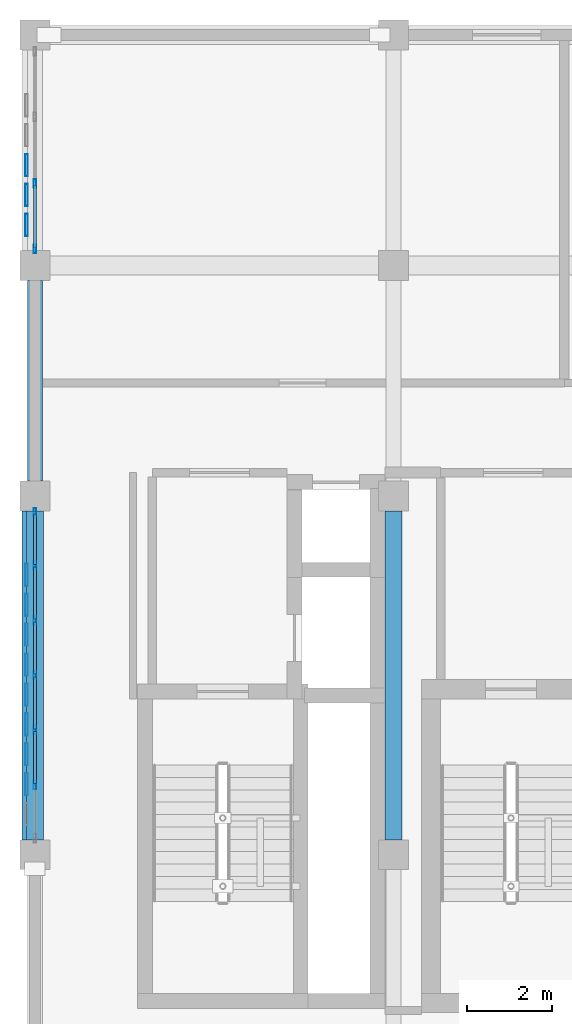
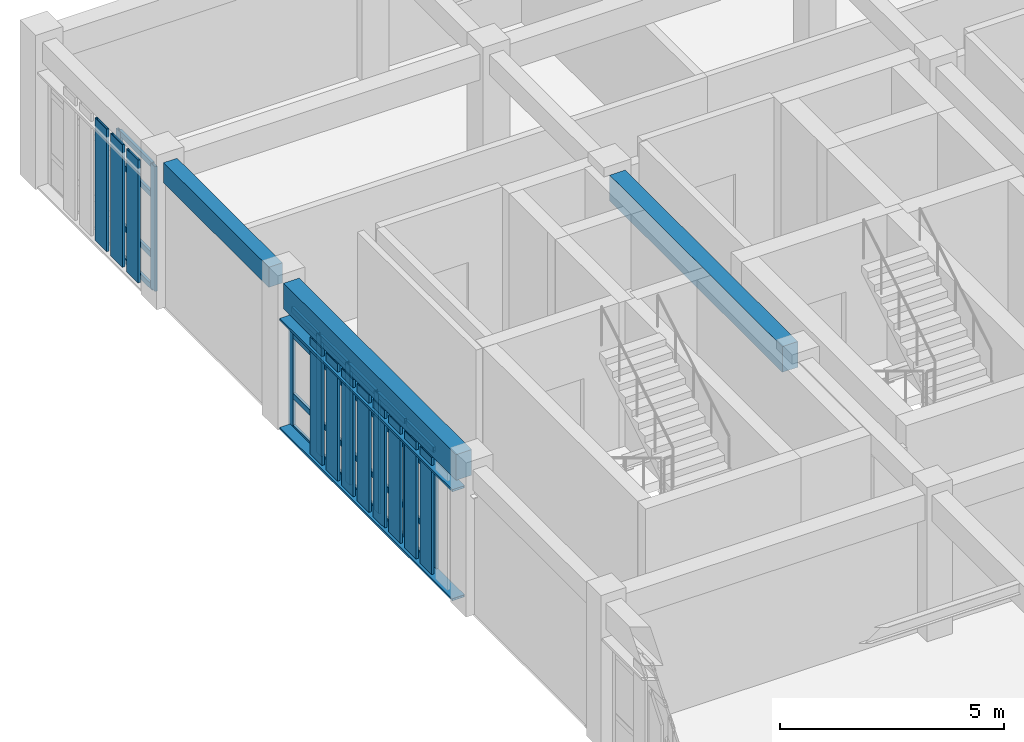
# One storey, part 9 of 23: 45 members, 3 beams, 2 elements without a shape of their own.
"""IFC4 building model written with IfcOpenShell, lengths in metres."""

import ifcopenshell
import ifcopenshell.guid

model = None  # the IFC model being written
_history = None  # IfcOwnerHistory: only IFC2X3 demands one
_inside = {}  # id of a spatial element -> (the spatial element, [elements in it])
_under = {}  # id of a project, library or spatial element -> (it, [spatial elements below it])
_declared = {}  # id of a project -> (the project, [libraries it declares])
_typed = {}  # id of a type object -> (the type object, [elements of that type])
_made_of = {}  # id of a material, layer set ... -> (it, [elements and type objects made of it])


def new_model(schema):
    """Start an empty IFC model of exactly this schema.

    Asked for "IFC4X3", IfcOpenShell would pick the latest addendum, in which some entities
    have other attributes; the version numbers below select the first issue.
    IFC2X3 requires an IfcOwnerHistory on every rooted entity: one is made here for all.
    """
    global model, _history
    if schema == "IFC4X3":
        model = ifcopenshell.file(schema_version=(4, 3, 0, 0))
    else:
        model = ifcopenshell.file(schema=schema)
    _inside.clear()
    _under.clear()
    _declared.clear()
    _typed.clear()
    _made_of.clear()
    _history = None
    if model.schema == "IFC2X3":
        org = make("IfcOrganization", Name="unknown")
        user = make(
            "IfcPersonAndOrganization",
            ThePerson=make("IfcPerson", FamilyName="unknown"),
            TheOrganization=org,
        )
        app = make(
            "IfcApplication",
            ApplicationDeveloper=org,
            Version="unknown",
            ApplicationFullName="unknown",
            ApplicationIdentifier="unknown",
        )
        _history = make(
            "IfcOwnerHistory",
            OwningUser=user,
            OwningApplication=app,
            ChangeAction="ADDED",
            CreationDate=0,
        )
    return model


def make(cls, **values):
    """One entity of the class cls with the attributes given. An attribute that is None is left unset."""
    return model.create_entity(
        cls, **{name: value for name, value in values.items() if value is not None}
    )


def rooted(cls, **values):
    """An entity with a GlobalId (a new one), such as an element, a storey or a relation."""
    return make(cls, GlobalId=ifcopenshell.guid.new(), OwnerHistory=_history, **values)


def si_unit(unit_type, name, prefix=None):
    """IfcSIUnit, for example si_unit("LENGTHUNIT", "METRE", prefix="MILLI")."""
    return make("IfcSIUnit", UnitType=unit_type, Prefix=prefix, Name=name)


def assignment(units):
    """IfcUnitAssignment: the units of a project."""
    return None if units is None else make("IfcUnitAssignment", Units=units)


def point(xyz):
    """IfcCartesianPoint."""
    return None if xyz is None else make("IfcCartesianPoint", Coordinates=xyz)


def direction(xyz):
    """IfcDirection."""
    return None if xyz is None else make("IfcDirection", DirectionRatios=xyz)


def frame(location, z_axis=None, x_axis=None):
    """IfcAxis2Placement3D, a coordinate frame: its origin and axes. An axis left out is left unset."""
    return make(
        "IfcAxis2Placement3D",
        Location=point(location),
        Axis=direction(z_axis),
        RefDirection=direction(x_axis),
    )


def frame_2d(location, x_axis=None):
    """IfcAxis2Placement2D, a coordinate frame in the plane: its origin and x axis."""
    return make(
        "IfcAxis2Placement2D", Location=point(location), RefDirection=direction(x_axis)
    )


def origin():
    """The frame at (0, 0, 0) with its axes left unset."""
    return frame((0.0, 0.0, 0.0))


def origin_2d():
    """The frame at (0, 0) in the plane with its x axis left unset."""
    return frame_2d((0.0, 0.0))


def place(relative_to, where):
    """IfcLocalPlacement: puts the frame where relative to a parent placement (None: the world)."""
    return make(
        "IfcLocalPlacement", PlacementRelTo=relative_to, RelativePlacement=where
    )


def context(
    kind, dimensions, precision=None, world=None, true_north=None, identifier=None
):
    """IfcGeometricRepresentationContext, for example the 3D "Model" context."""
    return make(
        "IfcGeometricRepresentationContext",
        ContextIdentifier=identifier,
        ContextType=kind,
        CoordinateSpaceDimension=dimensions,
        Precision=precision,
        WorldCoordinateSystem=world,
        TrueNorth=true_north,
    )


def subcontext(parent, identifier, kind, view, scale=None):
    """IfcGeometricRepresentationSubContext, for example "Body" below "Model"."""
    return make(
        "IfcGeometricRepresentationSubContext",
        ContextIdentifier=identifier,
        ContextType=kind,
        ParentContext=parent,
        TargetScale=scale,
        TargetView=view,
    )


def project(units=None, contexts=None):
    """IfcProject with its units and contexts."""
    return rooted(
        "IfcProject",
        Name="project",
        RepresentationContexts=contexts,
        UnitsInContext=assignment(units),
    )


def spatial(cls, under=None, at=None, **own):
    """A site, building, storey or space (cls), placed at a placement, below another one or the project."""
    s = rooted(cls, ObjectPlacement=at, **own)
    if under is not None:
        _under.setdefault(under.id(), (under, []))[1].append(s)
    return s


def profile(cls, at=None, kind="AREA", **sizes):
    """A parametric profile (cls). Its sizes go by their IFC names, for example OverallWidth=200.0."""
    return make(cls, ProfileType=kind, Position=at, **sizes)


def rectangle(**sizes):
    """IfcRectangleProfileDef."""
    return profile("IfcRectangleProfileDef", **sizes)


def hollow_rectangle(**sizes):
    """IfcRectangleHollowProfileDef."""
    return profile("IfcRectangleHollowProfileDef", **sizes)


def extrude(swept, where, along, depth):
    """IfcExtrudedAreaSolid: the profile swept, set in the frame where, extruded along a direction by depth."""
    return make(
        "IfcExtrudedAreaSolid",
        SweptArea=swept,
        Position=where,
        ExtrudedDirection=direction(along),
        Depth=depth,
    )


def shape(context_of_items, identifier, shape_type, items):
    """IfcShapeRepresentation: the items that make up one representation, for example the "Body"."""
    return make(
        "IfcShapeRepresentation",
        ContextOfItems=context_of_items,
        RepresentationIdentifier=identifier,
        RepresentationType=shape_type,
        Items=items,
    )


def material(Name=None, Category=None):
    """IfcMaterial."""
    return make("IfcMaterial", Name=Name, Category=Category)


def layer(
    of_material, thickness, ventilated=None, Name=None, Category=None, Priority=None
):
    """IfcMaterialLayer: one layer of a wall or slab, of a material (None: an air gap)."""
    return make(
        "IfcMaterialLayer",
        Material=of_material,
        LayerThickness=thickness,
        IsVentilated=ventilated,
        Name=Name,
        Category=Category,
        Priority=Priority,
    )


def layer_set(layers, Name=None):
    """IfcMaterialLayerSet."""
    return make("IfcMaterialLayerSet", MaterialLayers=layers, LayerSetName=Name)


def material_profile(
    of_material, cross_section, Name=None, Category=None, Priority=None
):
    """IfcMaterialProfile: a cross section and its material."""
    return make(
        "IfcMaterialProfile",
        Name=Name,
        Material=of_material,
        Profile=cross_section,
        Priority=Priority,
        Category=Category,
    )


def profile_set(profiles, Name=None, composite=None):
    """IfcMaterialProfileSet."""
    return make(
        "IfcMaterialProfileSet",
        Name=Name,
        MaterialProfiles=profiles,
        CompositeProfile=composite,
    )


def made_of(thing, what):
    """Note that an element or type object is made of a material, layer set ...; save() writes the relation."""
    if what is not None:
        _made_of.setdefault(what.id(), (what, []))[1].append(thing)
    return thing


def type_object(cls, material=None, **own):
    """A type object (cls), such as IfcWallType, which elements share."""
    return made_of(rooted(cls, **own), material)


def element(
    cls,
    number,
    at=None,
    inside=None,
    cuts=None,
    type_object=None,
    material=None,
    context=None,
    identifier="Body",
    shape_type=None,
    held_by="IfcProductDefinitionShape",
    body=None,
    shapes=None,
    **own,
):
    """One element of the class cls, such as IfcWall. Its Tag is "e" and its number.

    at: its placement. inside: the storey or other place that contains it. cuts: it is an
    opening in that element (IfcRelVoidsElement). A single representation is given by context,
    identifier, shape_type and body (its items); several are given by shapes. held_by: the class
    of the entity that holds the representations. save() writes the other relations.
    """
    e = rooted(cls, Tag="e%d" % number, ObjectPlacement=at, **own)
    if body is not None:
        shapes = [shape(context, identifier, shape_type, body)]
    if shapes is not None:
        e.Representation = make(held_by, Representations=shapes)
    if inside is not None:
        _inside.setdefault(inside.id(), (inside, []))[1].append(e)
    if cuts is not None:
        rooted(
            "IfcRelVoidsElement", RelatingBuildingElement=cuts, RelatedOpeningElement=e
        )
    if type_object is not None:
        _typed.setdefault(type_object.id(), (type_object, []))[1].append(e)
    return made_of(e, material)


def aggregate(whole, parts):
    """IfcRelAggregates: a whole, such as a stair, and the parts it consists of."""
    return rooted("IfcRelAggregates", RelatingObject=whole, RelatedObjects=parts)


def save(model, path):
    """Write the relations noted so far, then the file.

    IfcRelAggregates (storeys below a building ...), IfcRelContainedInSpatialStructure (elements
    in a storey), IfcRelDefinesByType, IfcRelAssociatesMaterial and IfcRelDeclares: one each for
    every whole, place, type object, material and project.
    """
    for whole, parts in _under.values():
        aggregate(whole, parts)
    for where, things in _inside.values():
        rooted(
            "IfcRelContainedInSpatialStructure",
            RelatedElements=things,
            RelatingStructure=where,
        )
    for kind, things in _typed.values():
        rooted("IfcRelDefinesByType", RelatedObjects=things, RelatingType=kind)
    for what, things in _made_of.values():
        rooted("IfcRelAssociatesMaterial", RelatedObjects=things, RelatingMaterial=what)
    for by, libraries in _declared.values():
        rooted("IfcRelDeclares", RelatingContext=by, RelatedDefinitions=libraries)
    model.write(path)


model = new_model("IFC4")

# Units and contexts
model_context = context("Model", 3, precision=1e-05, world=origin(), true_north=direction((0.0, 1.0)))
body_context = subcontext(model_context, "Body", "Model", "MODEL_VIEW")
ifc_project = project(units=[si_unit("LENGTHUNIT", "METRE"), si_unit("AREAUNIT", "SQUARE_METRE"), si_unit("VOLUMEUNIT", "CUBIC_METRE"), si_unit("PLANEANGLEUNIT", "RADIAN"), si_unit("MASSUNIT", "GRAM", prefix="KILO")], contexts=[model_context])

# Site, building, storey
site_placement = place(None, origin())
site = spatial("IfcSite", under=ifc_project, at=site_placement, CompositionType="ELEMENT")
building_placement = place(site_placement, origin())
building = spatial("IfcBuilding", under=site, at=building_placement, Name="Krzemoval Escarpment Law Courts", CompositionType="ELEMENT")
storey_placement = place(building_placement, frame((0.0, 0.0, 33.60009765625)))
storey = spatial("IfcBuildingStorey", under=building, at=storey_placement, Name="L07", CompositionType="ELEMENT", Elevation=33.60009765625)

# Beams
ifc_material_1 = material(Name="Concrete C40/50", Category="concrete")
ifc_material_profile_1 = material_profile(ifc_material_1, rectangle(XDim=0.35009765625, YDim=0.550048828125, at=origin_2d()), Name="RCB 350x550")
ifc_profile_set_1 = profile_set([ifc_material_profile_1], Name="Concrete C40/50")
beam_type_1 = type_object("IfcBeamType", Name="BM-RC-350x550", PredefinedType="BEAM", material=ifc_profile_set_1)
beam_placement = place(storey_placement, frame((126.0, 108.35009765625, 3.6748046875), z_axis=(0.0, 1.0, 0.0), x_axis=(-1.0, 0.0, 0.0)))
element("IfcBeam", 1, at=beam_placement, inside=storey, type_object=beam_type_1, Name="Beam FG-L07-2717", PredefinedType="BEAM", context=body_context, shape_type="SweptSolid", body=[
    extrude(rectangle(XDim=0.35009765625, YDim=0.550048828125, at=origin_2d()), origin(), (0.0, 0.0, 1.0), 4.699951171875),
])
ifc_material_2 = material(Name="Concrete C40/50", Category="concrete")
ifc_material_profile_2 = material_profile(ifc_material_2, rectangle(XDim=0.39990234375, YDim=0.699951171875, at=origin_2d()), Name="RCB 400x700")
ifc_profile_set_2 = profile_set([ifc_material_profile_2], Name="Concrete C40/50")
beam_type_2 = type_object("IfcBeamType", Name="BM-RC-400x700", PredefinedType="BEAM", material=ifc_profile_set_2)
for number, where, z_axis, x_axis, name in (
    (2, (126.0, 99.949951171875, 3.599853515625), (0.0, 1.0, 0.0), (-1.0, 0.0, 0.0), "Beam FG-L07-2716"),
    (3, (134.39990234375, 99.949951171875, 3.599853515625), (0.0, 1.0, 0.0), (-1.0, 0.0, 0.0), "Beam FG-L07-2721"),
):
    element("IfcBeam", number, at=place(storey_placement, frame(where, z_axis=z_axis, x_axis=x_axis)), inside=storey, type_object=beam_type_2, Name=name, PredefinedType="BEAM", context=body_context, shape_type="SweptSolid", body=[
        extrude(rectangle(XDim=0.39990234375, YDim=0.699951171875, at=origin_2d()), origin(), (0.0, 0.0, 1.0), 7.699951171875),
    ])

# Curtain wall, members
ifc_material_3 = material(Name="Aluminium 6063-T6", Category="aluminium")
ifc_layer = layer(ifc_material_3, 0.219970703125)
ifc_layer_set = layer_set([ifc_layer], Name="Aluminium 6063-T6")
curtain_wall_type = type_object("IfcCurtainWallType", Name="CW-CHMB-4200", PredefinedType="USERDEFINED", material=ifc_layer_set)
curtain_wall_1_placement = place(storey_placement, origin())
curtain_wall_1 = element("IfcCurtainWall", 4, at=curtain_wall_1_placement, inside=storey, type_object=curtain_wall_type, Name="Unitised Curtain Wall FCW-L07-156", ObjectType="UNITISED_CURTAIN_WALL", PredefinedType="USERDEFINED")
ifc_material_4 = material(Name="Aluminium 6063-T6", Category="aluminium")
ifc_material_profile_3 = material_profile(ifc_material_4, hollow_rectangle(XDim=0.06494140625, YDim=0.199951171875, WallThickness=0.00439453125, at=origin_2d()), Name="ALU M65x200")
ifc_profile_set_3 = profile_set([ifc_material_profile_3], Name="Aluminium 6063-T6")
member_type_1 = type_object("IfcMemberType", Name="CWM-65x200", PredefinedType="MULLION", material=ifc_profile_set_3)
member_1_placement = place(storey_placement, frame((126.0, 101.2333984375, 0.0), z_axis=(0.0, 0.0, 1.0), x_axis=(-1.0, 0.0, 0.0)))
member_1 = element("IfcMember", 5, at=member_1_placement, type_object=member_type_1, Name="FCW-L07-156 mullion 2", PredefinedType="MULLION", context=body_context, shape_type="SweptSolid", body=[
    extrude(hollow_rectangle(XDim=0.06494140625, YDim=0.199951171875, WallThickness=0.00439453125, at=origin_2d()), origin(), (0.0, 0.0, 1.0), 3.25),
])
member_2_placement = place(storey_placement, frame((126.0, 102.5166015625, 0.0), z_axis=(0.0, 0.0, 1.0), x_axis=(-1.0, 0.0, 0.0)))
member_2 = element("IfcMember", 6, at=member_2_placement, type_object=member_type_1, Name="FCW-L07-156 mullion 3", PredefinedType="MULLION", context=body_context, shape_type="SweptSolid", body=[
    extrude(hollow_rectangle(XDim=0.06494140625, YDim=0.199951171875, WallThickness=0.00439453125, at=origin_2d()), origin(), (0.0, 0.0, 1.0), 3.25),
])
member_3_placement = place(storey_placement, frame((126.0, 103.800048828125, 0.0), z_axis=(0.0, 0.0, 1.0), x_axis=(-1.0, 0.0, 0.0)))
member_3 = element("IfcMember", 7, at=member_3_placement, type_object=member_type_1, Name="FCW-L07-156 mullion 4", PredefinedType="MULLION", context=body_context, shape_type="SweptSolid", body=[
    extrude(hollow_rectangle(XDim=0.06494140625, YDim=0.199951171875, WallThickness=0.00439453125, at=origin_2d()), origin(), (0.0, 0.0, 1.0), 3.25),
])
member_4_placement = place(storey_placement, frame((126.0, 105.083251953125, 0.0), z_axis=(0.0, 0.0, 1.0), x_axis=(-1.0, 0.0, 0.0)))
member_4 = element("IfcMember", 8, at=member_4_placement, type_object=member_type_1, Name="FCW-L07-156 mullion 5", PredefinedType="MULLION", context=body_context, shape_type="SweptSolid", body=[
    extrude(hollow_rectangle(XDim=0.06494140625, YDim=0.199951171875, WallThickness=0.00439453125, at=origin_2d()), origin(), (0.0, 0.0, 1.0), 3.25),
])
member_5_placement = place(storey_placement, frame((126.0, 106.36669921875, 0.0), z_axis=(0.0, 0.0, 1.0), x_axis=(-1.0, 0.0, 0.0)))
member_5 = element("IfcMember", 9, at=member_5_placement, type_object=member_type_1, Name="FCW-L07-156 mullion 6", PredefinedType="MULLION", context=body_context, shape_type="SweptSolid", body=[
    extrude(hollow_rectangle(XDim=0.06494140625, YDim=0.199951171875, WallThickness=0.00439453125, at=origin_2d()), origin(), (0.0, 0.0, 1.0), 3.25),
])
member_6_placement = place(storey_placement, frame((126.0, 107.617431640625, 0.0), z_axis=(0.0, 0.0, 1.0), x_axis=(-1.0, 0.0, 0.0)))
member_6 = element("IfcMember", 10, at=member_6_placement, type_object=member_type_1, Name="FCW-L07-156 mullion 7", PredefinedType="MULLION", context=body_context, shape_type="SweptSolid", body=[
    extrude(hollow_rectangle(XDim=0.06494140625, YDim=0.199951171875, WallThickness=0.00439453125, at=origin_2d()), origin(), (0.0, 0.0, 1.0), 3.25),
])

curtain_wall_2_placement = place(storey_placement, origin())
curtain_wall_2 = element("IfcCurtainWall", 11, at=curtain_wall_2_placement, inside=storey, type_object=curtain_wall_type, Name="Unitised Curtain Wall FCW-L07-157", ObjectType="UNITISED_CURTAIN_WALL", PredefinedType="USERDEFINED")
member_7_placement = place(storey_placement, frame((126.0, 113.782470703125, 0.0), z_axis=(0.0, 0.0, 1.0), x_axis=(-1.0, 0.0, 0.0)))
member_7 = element("IfcMember", 12, at=member_7_placement, type_object=member_type_1, Name="FCW-L07-157 mullion 1", PredefinedType="MULLION", context=body_context, shape_type="SweptSolid", body=[
    extrude(hollow_rectangle(XDim=0.06494140625, YDim=0.199951171875, WallThickness=0.00439453125, at=origin_2d()), origin(), (0.0, 0.0, 1.0), 3.39990234375),
])
member_8_placement = place(storey_placement, frame((126.0, 115.316650390625, 0.0), z_axis=(0.0, 0.0, 1.0), x_axis=(-1.0, 0.0, 0.0)))
member_8 = element("IfcMember", 13, at=member_8_placement, type_object=member_type_1, Name="FCW-L07-157 mullion 2", PredefinedType="MULLION", context=body_context, shape_type="SweptSolid", body=[
    extrude(hollow_rectangle(XDim=0.06494140625, YDim=0.199951171875, WallThickness=0.00439453125, at=origin_2d()), origin(), (0.0, 0.0, 1.0), 3.39990234375),
])

# Member
ifc_material_5 = material(Name="Aluminium 6063-T6", Category="aluminium")
ifc_material_profile_4 = material_profile(ifc_material_5, hollow_rectangle(XDim=0.06494140625, YDim=0.14990234375, WallThickness=0.00439453125, at=origin_2d()), Name="ALU T65x150")
ifc_profile_set_4 = profile_set([ifc_material_profile_4], Name="Aluminium 6063-T6")
member_type_2 = type_object("IfcMemberType", Name="CWT-65x150", PredefinedType="USERDEFINED", material=ifc_profile_set_4)
member_9_placement = place(storey_placement, frame((126.0, 101.265869140625, 0.032470703125), z_axis=(0.0, 1.0, 0.0), x_axis=(-1.0, 0.0, 0.0)))
member_9 = element("IfcMember", 14, at=member_9_placement, type_object=member_type_2, Name="FCW-L07-156 transom 2.1", ObjectType="TRANSOM", PredefinedType="USERDEFINED", context=body_context, shape_type="SweptSolid", body=[
    extrude(hollow_rectangle(XDim=0.06494140625, YDim=0.14990234375, WallThickness=0.00439453125, at=origin_2d()), origin(), (0.0, 0.0, 1.0), 1.21826171875),
])

member_10_placement = place(storey_placement, frame((126.0, 101.265869140625, 0.89990234375), z_axis=(0.0, 1.0, 0.0), x_axis=(-1.0, 0.0, 0.0)))
member_10 = element("IfcMember", 15, at=member_10_placement, type_object=member_type_2, Name="FCW-L07-156 transom 2.2", ObjectType="TRANSOM", PredefinedType="USERDEFINED", context=body_context, shape_type="SweptSolid", body=[
    extrude(hollow_rectangle(XDim=0.06494140625, YDim=0.14990234375, WallThickness=0.00439453125, at=origin_2d()), origin(), (0.0, 0.0, 1.0), 1.21826171875),
])

member_11_placement = place(storey_placement, frame((126.0, 101.265869140625, 2.5498046875), z_axis=(0.0, 1.0, 0.0), x_axis=(-1.0, 0.0, 0.0)))
member_11 = element("IfcMember", 16, at=member_11_placement, type_object=member_type_2, Name="FCW-L07-156 transom 2.3", ObjectType="TRANSOM", PredefinedType="USERDEFINED", context=body_context, shape_type="SweptSolid", body=[
    extrude(hollow_rectangle(XDim=0.06494140625, YDim=0.14990234375, WallThickness=0.00439453125, at=origin_2d()), origin(), (0.0, 0.0, 1.0), 1.21826171875),
])

member_12_placement = place(storey_placement, frame((126.0, 101.265869140625, 3.21728515625), z_axis=(0.0, 1.0, 0.0), x_axis=(-1.0, 0.0, 0.0)))
member_12 = element("IfcMember", 17, at=member_12_placement, type_object=member_type_2, Name="FCW-L07-156 transom 2.4", ObjectType="TRANSOM", PredefinedType="USERDEFINED", context=body_context, shape_type="SweptSolid", body=[
    extrude(hollow_rectangle(XDim=0.06494140625, YDim=0.14990234375, WallThickness=0.00439453125, at=origin_2d()), origin(), (0.0, 0.0, 1.0), 1.21826171875),
])

member_13_placement = place(storey_placement, frame((126.0, 102.549072265625, 0.032470703125), z_axis=(0.0, 1.0, 0.0), x_axis=(-1.0, 0.0, 0.0)))
member_13 = element("IfcMember", 18, at=member_13_placement, type_object=member_type_2, Name="FCW-L07-156 transom 3.1", ObjectType="TRANSOM", PredefinedType="USERDEFINED", context=body_context, shape_type="SweptSolid", body=[
    extrude(hollow_rectangle(XDim=0.06494140625, YDim=0.14990234375, WallThickness=0.00439453125, at=origin_2d()), origin(), (0.0, 0.0, 1.0), 1.218505859375),
])

member_14_placement = place(storey_placement, frame((126.0, 102.549072265625, 0.89990234375), z_axis=(0.0, 1.0, 0.0), x_axis=(-1.0, 0.0, 0.0)))
member_14 = element("IfcMember", 19, at=member_14_placement, type_object=member_type_2, Name="FCW-L07-156 transom 3.2", ObjectType="TRANSOM", PredefinedType="USERDEFINED", context=body_context, shape_type="SweptSolid", body=[
    extrude(hollow_rectangle(XDim=0.06494140625, YDim=0.14990234375, WallThickness=0.00439453125, at=origin_2d()), origin(), (0.0, 0.0, 1.0), 1.218505859375),
])

member_15_placement = place(storey_placement, frame((126.0, 102.549072265625, 2.5498046875), z_axis=(0.0, 1.0, 0.0), x_axis=(-1.0, 0.0, 0.0)))
member_15 = element("IfcMember", 20, at=member_15_placement, type_object=member_type_2, Name="FCW-L07-156 transom 3.3", ObjectType="TRANSOM", PredefinedType="USERDEFINED", context=body_context, shape_type="SweptSolid", body=[
    extrude(hollow_rectangle(XDim=0.06494140625, YDim=0.14990234375, WallThickness=0.00439453125, at=origin_2d()), origin(), (0.0, 0.0, 1.0), 1.218505859375),
])

member_16_placement = place(storey_placement, frame((126.0, 102.549072265625, 3.21728515625), z_axis=(0.0, 1.0, 0.0), x_axis=(-1.0, 0.0, 0.0)))
member_16 = element("IfcMember", 21, at=member_16_placement, type_object=member_type_2, Name="FCW-L07-156 transom 3.4", ObjectType="TRANSOM", PredefinedType="USERDEFINED", context=body_context, shape_type="SweptSolid", body=[
    extrude(hollow_rectangle(XDim=0.06494140625, YDim=0.14990234375, WallThickness=0.00439453125, at=origin_2d()), origin(), (0.0, 0.0, 1.0), 1.218505859375),
])

member_17_placement = place(storey_placement, frame((126.0, 103.83251953125, 0.032470703125), z_axis=(0.0, 1.0, 0.0), x_axis=(-1.0, 0.0, 0.0)))
member_17 = element("IfcMember", 22, at=member_17_placement, type_object=member_type_2, Name="FCW-L07-156 transom 4.1", ObjectType="TRANSOM", PredefinedType="USERDEFINED", context=body_context, shape_type="SweptSolid", body=[
    extrude(hollow_rectangle(XDim=0.06494140625, YDim=0.14990234375, WallThickness=0.00439453125, at=origin_2d()), origin(), (0.0, 0.0, 1.0), 1.21826171875),
])

member_18_placement = place(storey_placement, frame((126.0, 103.83251953125, 0.89990234375), z_axis=(0.0, 1.0, 0.0), x_axis=(-1.0, 0.0, 0.0)))
member_18 = element("IfcMember", 23, at=member_18_placement, type_object=member_type_2, Name="FCW-L07-156 transom 4.2", ObjectType="TRANSOM", PredefinedType="USERDEFINED", context=body_context, shape_type="SweptSolid", body=[
    extrude(hollow_rectangle(XDim=0.06494140625, YDim=0.14990234375, WallThickness=0.00439453125, at=origin_2d()), origin(), (0.0, 0.0, 1.0), 1.21826171875),
])

member_19_placement = place(storey_placement, frame((126.0, 103.83251953125, 2.5498046875), z_axis=(0.0, 1.0, 0.0), x_axis=(-1.0, 0.0, 0.0)))
member_19 = element("IfcMember", 24, at=member_19_placement, type_object=member_type_2, Name="FCW-L07-156 transom 4.3", ObjectType="TRANSOM", PredefinedType="USERDEFINED", context=body_context, shape_type="SweptSolid", body=[
    extrude(hollow_rectangle(XDim=0.06494140625, YDim=0.14990234375, WallThickness=0.00439453125, at=origin_2d()), origin(), (0.0, 0.0, 1.0), 1.21826171875),
])

member_20_placement = place(storey_placement, frame((126.0, 103.83251953125, 3.21728515625), z_axis=(0.0, 1.0, 0.0), x_axis=(-1.0, 0.0, 0.0)))
member_20 = element("IfcMember", 25, at=member_20_placement, type_object=member_type_2, Name="FCW-L07-156 transom 4.4", ObjectType="TRANSOM", PredefinedType="USERDEFINED", context=body_context, shape_type="SweptSolid", body=[
    extrude(hollow_rectangle(XDim=0.06494140625, YDim=0.14990234375, WallThickness=0.00439453125, at=origin_2d()), origin(), (0.0, 0.0, 1.0), 1.21826171875),
])

member_21_placement = place(storey_placement, frame((126.0, 105.11572265625, 0.032470703125), z_axis=(0.0, 1.0, 0.0), x_axis=(-1.0, 0.0, 0.0)))
member_21 = element("IfcMember", 26, at=member_21_placement, type_object=member_type_2, Name="FCW-L07-156 transom 5.1", ObjectType="TRANSOM", PredefinedType="USERDEFINED", context=body_context, shape_type="SweptSolid", body=[
    extrude(hollow_rectangle(XDim=0.06494140625, YDim=0.14990234375, WallThickness=0.00439453125, at=origin_2d()), origin(), (0.0, 0.0, 1.0), 1.218505859375),
])

member_22_placement = place(storey_placement, frame((126.0, 105.11572265625, 0.89990234375), z_axis=(0.0, 1.0, 0.0), x_axis=(-1.0, 0.0, 0.0)))
member_22 = element("IfcMember", 27, at=member_22_placement, type_object=member_type_2, Name="FCW-L07-156 transom 5.2", ObjectType="TRANSOM", PredefinedType="USERDEFINED", context=body_context, shape_type="SweptSolid", body=[
    extrude(hollow_rectangle(XDim=0.06494140625, YDim=0.14990234375, WallThickness=0.00439453125, at=origin_2d()), origin(), (0.0, 0.0, 1.0), 1.218505859375),
])

member_23_placement = place(storey_placement, frame((126.0, 105.11572265625, 2.5498046875), z_axis=(0.0, 1.0, 0.0), x_axis=(-1.0, 0.0, 0.0)))
member_23 = element("IfcMember", 28, at=member_23_placement, type_object=member_type_2, Name="FCW-L07-156 transom 5.3", ObjectType="TRANSOM", PredefinedType="USERDEFINED", context=body_context, shape_type="SweptSolid", body=[
    extrude(hollow_rectangle(XDim=0.06494140625, YDim=0.14990234375, WallThickness=0.00439453125, at=origin_2d()), origin(), (0.0, 0.0, 1.0), 1.218505859375),
])

member_24_placement = place(storey_placement, frame((126.0, 105.11572265625, 3.21728515625), z_axis=(0.0, 1.0, 0.0), x_axis=(-1.0, 0.0, 0.0)))
member_24 = element("IfcMember", 29, at=member_24_placement, type_object=member_type_2, Name="FCW-L07-156 transom 5.4", ObjectType="TRANSOM", PredefinedType="USERDEFINED", context=body_context, shape_type="SweptSolid", body=[
    extrude(hollow_rectangle(XDim=0.06494140625, YDim=0.14990234375, WallThickness=0.00439453125, at=origin_2d()), origin(), (0.0, 0.0, 1.0), 1.218505859375),
])

member_25_placement = place(storey_placement, frame((126.0, 106.399169921875, 0.032470703125), z_axis=(0.0, 1.0, 0.0), x_axis=(-1.0, 0.0, 0.0)))
member_25 = element("IfcMember", 30, at=member_25_placement, type_object=member_type_2, Name="FCW-L07-156 transom 6.1", ObjectType="TRANSOM", PredefinedType="USERDEFINED", context=body_context, shape_type="SweptSolid", body=[
    extrude(hollow_rectangle(XDim=0.06494140625, YDim=0.14990234375, WallThickness=0.00439453125, at=origin_2d()), origin(), (0.0, 0.0, 1.0), 1.185791015625),
])

member_26_placement = place(storey_placement, frame((126.0, 106.399169921875, 0.89990234375), z_axis=(0.0, 1.0, 0.0), x_axis=(-1.0, 0.0, 0.0)))
member_26 = element("IfcMember", 31, at=member_26_placement, type_object=member_type_2, Name="FCW-L07-156 transom 6.2", ObjectType="TRANSOM", PredefinedType="USERDEFINED", context=body_context, shape_type="SweptSolid", body=[
    extrude(hollow_rectangle(XDim=0.06494140625, YDim=0.14990234375, WallThickness=0.00439453125, at=origin_2d()), origin(), (0.0, 0.0, 1.0), 1.185791015625),
])

member_27_placement = place(storey_placement, frame((126.0, 106.399169921875, 2.5498046875), z_axis=(0.0, 1.0, 0.0), x_axis=(-1.0, 0.0, 0.0)))
member_27 = element("IfcMember", 32, at=member_27_placement, type_object=member_type_2, Name="FCW-L07-156 transom 6.3", ObjectType="TRANSOM", PredefinedType="USERDEFINED", context=body_context, shape_type="SweptSolid", body=[
    extrude(hollow_rectangle(XDim=0.06494140625, YDim=0.14990234375, WallThickness=0.00439453125, at=origin_2d()), origin(), (0.0, 0.0, 1.0), 1.185791015625),
])

member_28_placement = place(storey_placement, frame((126.0, 106.399169921875, 3.21728515625), z_axis=(0.0, 1.0, 0.0), x_axis=(-1.0, 0.0, 0.0)))
member_28 = element("IfcMember", 33, at=member_28_placement, type_object=member_type_2, Name="FCW-L07-156 transom 6.4", ObjectType="TRANSOM", PredefinedType="USERDEFINED", context=body_context, shape_type="SweptSolid", body=[
    extrude(hollow_rectangle(XDim=0.06494140625, YDim=0.14990234375, WallThickness=0.00439453125, at=origin_2d()), origin(), (0.0, 0.0, 1.0), 1.185791015625),
])

aggregate(curtain_wall_1, [member_1, member_2, member_3, member_4, member_5, member_6, member_9, member_10, member_11, member_12, member_13, member_14, member_15, member_16, member_17, member_18, member_19, member_20, member_21, member_22, member_23, member_24, member_25, member_26, member_27, member_28])

member_29_placement = place(storey_placement, frame((126.0, 113.81494140625, 0.032470703125), z_axis=(0.0, 1.0, 0.0), x_axis=(-1.0, 0.0, 0.0)))
member_29 = element("IfcMember", 34, at=member_29_placement, type_object=member_type_2, Name="FCW-L07-157 transom 1.1", ObjectType="TRANSOM", PredefinedType="USERDEFINED", context=body_context, shape_type="SweptSolid", body=[
    extrude(hollow_rectangle(XDim=0.06494140625, YDim=0.14990234375, WallThickness=0.00439453125, at=origin_2d()), origin(), (0.0, 0.0, 1.0), 1.46923828125),
])

member_30_placement = place(storey_placement, frame((126.0, 113.81494140625, 0.89990234375), z_axis=(0.0, 1.0, 0.0), x_axis=(-1.0, 0.0, 0.0)))
member_30 = element("IfcMember", 35, at=member_30_placement, type_object=member_type_2, Name="FCW-L07-157 transom 1.2", ObjectType="TRANSOM", PredefinedType="USERDEFINED", context=body_context, shape_type="SweptSolid", body=[
    extrude(hollow_rectangle(XDim=0.06494140625, YDim=0.14990234375, WallThickness=0.00439453125, at=origin_2d()), origin(), (0.0, 0.0, 1.0), 1.46923828125),
])

member_31_placement = place(storey_placement, frame((126.0, 113.81494140625, 2.5498046875), z_axis=(0.0, 1.0, 0.0), x_axis=(-1.0, 0.0, 0.0)))
member_31 = element("IfcMember", 36, at=member_31_placement, type_object=member_type_2, Name="FCW-L07-157 transom 1.3", ObjectType="TRANSOM", PredefinedType="USERDEFINED", context=body_context, shape_type="SweptSolid", body=[
    extrude(hollow_rectangle(XDim=0.06494140625, YDim=0.14990234375, WallThickness=0.00439453125, at=origin_2d()), origin(), (0.0, 0.0, 1.0), 1.46923828125),
])

member_32_placement = place(storey_placement, frame((126.0, 113.81494140625, 3.367431640625), z_axis=(0.0, 1.0, 0.0), x_axis=(-1.0, 0.0, 0.0)))
member_32 = element("IfcMember", 37, at=member_32_placement, type_object=member_type_2, Name="FCW-L07-157 transom 1.4", ObjectType="TRANSOM", PredefinedType="USERDEFINED", context=body_context, shape_type="SweptSolid", body=[
    extrude(hollow_rectangle(XDim=0.06494140625, YDim=0.14990234375, WallThickness=0.00439453125, at=origin_2d()), origin(), (0.0, 0.0, 1.0), 1.46923828125),
])

aggregate(curtain_wall_2, [member_7, member_8, member_29, member_30, member_31, member_32])

# Members
ifc_material_6 = material(Name="Anodised Aluminium Alloy 6063-T6", Category="aluminium")
ifc_material_profile_5 = material_profile(ifc_material_6, hollow_rectangle(XDim=0.06005859375, YDim=0.320068359375, WallThickness=0.00390625, at=origin_2d()), Name="ALU LVR 60x320")
ifc_profile_set_5 = profile_set([ifc_material_profile_5], Name="Anodised Aluminium Alloy 6063-T6")
member_type_3 = type_object("IfcMemberType", Name="LVR-ALU-320", PredefinedType="USERDEFINED", material=ifc_profile_set_5)
for number, where, z_axis, x_axis, name in (
    (38, (125.860107421875, 99.949951171875, 0.02978515625), (0.0, 1.0, 0.0), (0.0, 0.0, 1.0), "Sunshade Support Rail FSR-L07-1030"),
    (39, (125.860107421875, 99.949951171875, 3.0), (0.0, 1.0, 0.0), (0.0, 0.0, 1.0), "Sunshade Support Rail FSR-L07-1031"),
):
    element("IfcMember", number, at=place(storey_placement, frame(where, z_axis=z_axis, x_axis=x_axis)), inside=storey, type_object=member_type_3, Name=name, ObjectType="SUNSHADE_LOUVRE", PredefinedType="USERDEFINED", context=body_context, shape_type="SweptSolid", body=[
        extrude(hollow_rectangle(XDim=0.06005859375, YDim=0.320068359375, WallThickness=0.00390625, at=origin_2d()), origin(), (0.0, 0.0, 1.0), 7.699951171875),
    ])
ifc_material_7 = material(Name="Anodised Aluminium Alloy 6063-T6", Category="aluminium")
ifc_material_profile_6 = material_profile(ifc_material_7, hollow_rectangle(XDim=0.06494140625, YDim=0.52001953125, WallThickness=0.00439453125, at=origin_2d()), Name="ALU LVR 65x520")
ifc_profile_set_6 = profile_set([ifc_material_profile_6], Name="Anodised Aluminium Alloy 6063-T6")
member_type_4 = type_object("IfcMemberType", Name="LVR-ALU-520", PredefinedType="USERDEFINED", material=ifc_profile_set_6)
for number, where, z_axis, x_axis, name in (
    (40, (125.800048828125, 101.25, 0.059814453125), (0.0, 0.0, 1.0), (1.0, 0.0, 0.0), "Sunshade Louvre Fin FLV-L07-1033"),
    (41, (125.800048828125, 101.949951171875, 0.059814453125), (0.0, 0.0, 1.0), (1.0, 0.0, 0.0), "Sunshade Louvre Fin FLV-L07-1034"),
    (42, (125.800048828125, 102.64990234375, 0.059814453125), (0.0, 0.0, 1.0), (1.0, 0.0, 0.0), "Sunshade Louvre Fin FLV-L07-1035"),
    (43, (125.800048828125, 103.35009765625, 0.059814453125), (0.0, 0.0, 1.0), (1.0, 0.0, 0.0), "Sunshade Louvre Fin FLV-L07-1036"),
    (44, (125.800048828125, 104.050048828125, 0.059814453125), (0.0, 0.0, 1.0), (1.0, 0.0, 0.0), "Sunshade Louvre Fin FLV-L07-1037"),
    (45, (125.800048828125, 104.75, 0.059814453125), (0.0, 0.0, 1.0), (1.0, 0.0, 0.0), "Sunshade Louvre Fin FLV-L07-1038"),
    (46, (125.800048828125, 105.449951171875, 0.059814453125), (0.0, 0.0, 1.0), (1.0, 0.0, 0.0), "Sunshade Louvre Fin FLV-L07-1039"),
    (47, (125.800048828125, 106.14990234375, 0.059814453125), (0.0, 0.0, 1.0), (1.0, 0.0, 0.0), "Sunshade Louvre Fin FLV-L07-1040"),
):
    element("IfcMember", number, at=place(storey_placement, frame(where, z_axis=z_axis, x_axis=x_axis)), inside=storey, type_object=member_type_4, Name=name, ObjectType="SUNSHADE_LOUVRE", PredefinedType="USERDEFINED", context=body_context, shape_type="SweptSolid", body=[
        extrude(hollow_rectangle(XDim=0.06494140625, YDim=0.52001953125, WallThickness=0.00439453125, at=origin_2d()), origin(), (0.0, 0.0, 1.0), 3.190185546875),
    ])
for number, where, z_axis, x_axis, name in (
    (48, (125.800048828125, 114.35009765625, 0.059814453125), (0.0, 0.0, 1.0), (1.0, 0.0, 0.0), "Sunshade Louvre Fin FLV-L07-1043"),
    (49, (125.800048828125, 115.050048828125, 0.059814453125), (0.0, 0.0, 1.0), (1.0, 0.0, 0.0), "Sunshade Louvre Fin FLV-L07-1044"),
    (50, (125.800048828125, 115.75, 0.059814453125), (0.0, 0.0, 1.0), (1.0, 0.0, 0.0), "Sunshade Louvre Fin FLV-L07-1045"),
):
    element("IfcMember", number, at=place(storey_placement, frame(where, z_axis=z_axis, x_axis=x_axis)), inside=storey, type_object=member_type_4, Name=name, ObjectType="SUNSHADE_LOUVRE", PredefinedType="USERDEFINED", context=body_context, shape_type="SweptSolid", body=[
        extrude(hollow_rectangle(XDim=0.06494140625, YDim=0.52001953125, WallThickness=0.00439453125, at=origin_2d()), origin(), (0.0, 0.0, 1.0), 3.340087890625),
    ])

save(model, "model.ifc")
